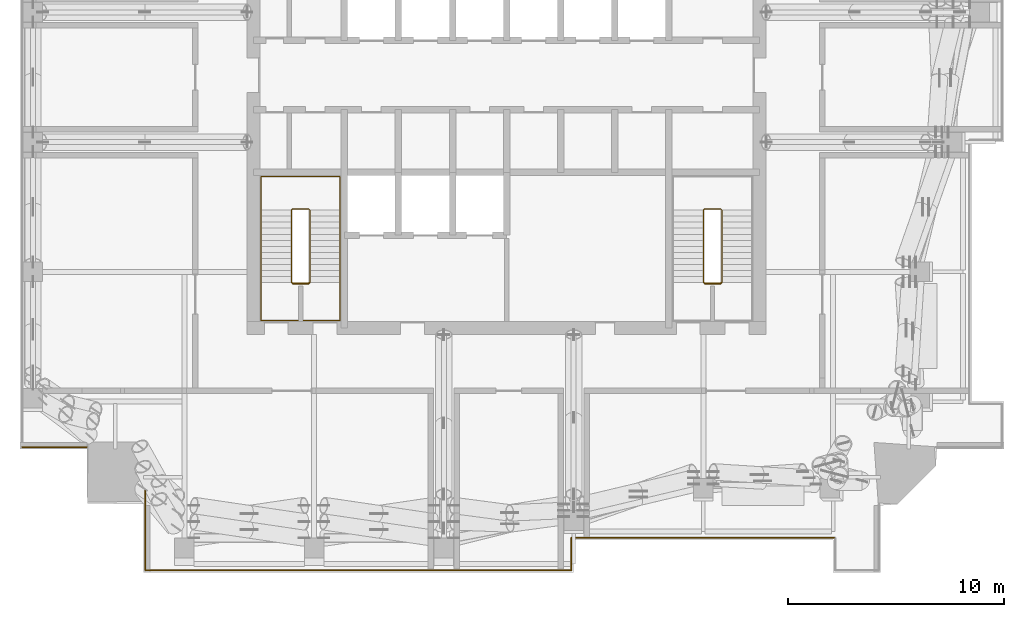
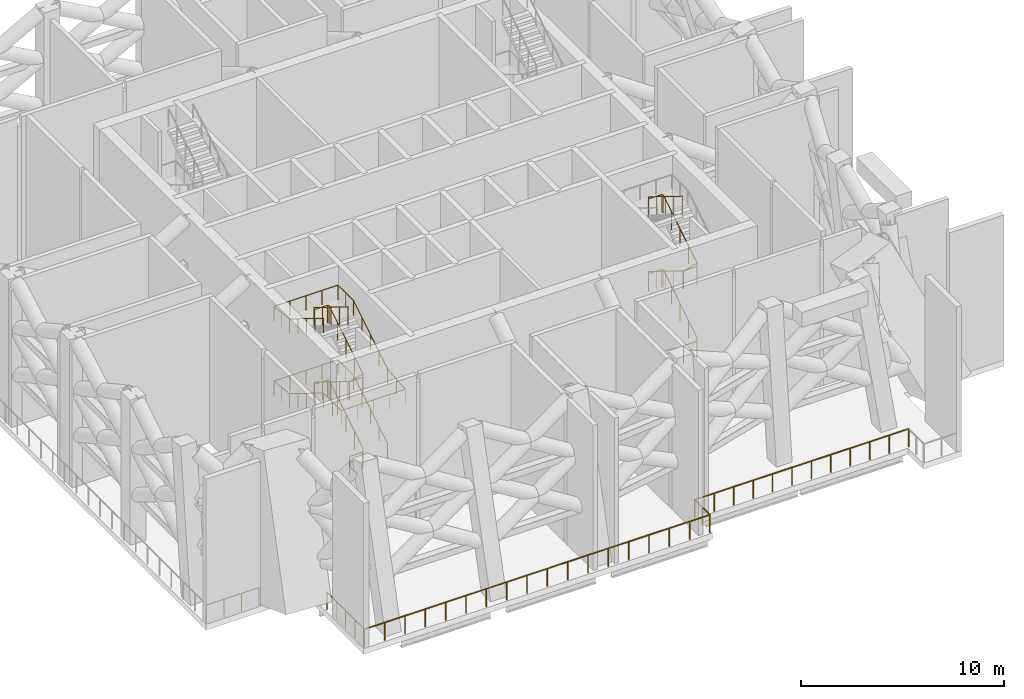
# One storey, part 15 of 18: 8 railings.
"""IFC4 building model written with IfcOpenShell, lengths in metres."""

from ifc_helpers import new_model, si_unit, direction, frame, origin, origin_2d, place, context, subcontext, project, spatial, circle, extrude, material, type_object, element, save


model = new_model("IFC4")

# Units and contexts
model_context = context("Model", 3, precision=1e-05, world=origin(), true_north=direction((0.0, 1.0)))
body_context = subcontext(model_context, "Body", "Model", "MODEL_VIEW")
ifc_project = project(units=[si_unit("LENGTHUNIT", "METRE"), si_unit("AREAUNIT", "SQUARE_METRE"), si_unit("VOLUMEUNIT", "CUBIC_METRE"), si_unit("PLANEANGLEUNIT", "RADIAN"), si_unit("MASSUNIT", "GRAM", prefix="KILO")], contexts=[model_context])

# Site, building, storey
site_placement = place(None, origin())
site = spatial("IfcSite", under=ifc_project, at=site_placement, CompositionType="ELEMENT")
building_placement = place(site_placement, origin())
building = spatial("IfcBuilding", under=site, at=building_placement, Name="Amberfall Residences", CompositionType="ELEMENT")
storey_placement = place(building_placement, frame((0.0, 0.0, 229.89990234375)))
storey = spatial("IfcBuildingStorey", under=building, at=storey_placement, Name="L62", CompositionType="ELEMENT", Elevation=229.89990234375)

# Railings
ifc_material_1 = material(Name="Bronze anodised aluminium and laminated glass", Category="aluminium")
railing_type_1 = type_object("IfcRailingType", Name="Refuge edge guard 1100", PredefinedType="GUARDRAIL", material=ifc_material_1)
railing_1_placement = place(storey_placement, frame((89.699951171875, 24.10009765625, 0.0)))
element("IfcRailing", 1, at=railing_1_placement, inside=storey, type_object=railing_type_1, Name="Refuge edge guard L62 3", PredefinedType="GUARDRAIL", context=body_context, shape_type="SweptSolid", body=[
    extrude(circle(Radius=0.02392578125, at=origin_2d()), frame((0.0, 0.0, 1.076171875), z_axis=(-1.0, 0.0, 0.0), x_axis=(0.0, -1.0, 0.0)), (0.0, 0.0, 1.0), 12.199951171875),
    extrude(circle(Radius=0.02099609375, at=origin_2d()), origin(), (0.0, 0.0, 1.0), 1.052001953125),
    extrude(circle(Radius=0.02099609375, at=origin_2d()), frame((-1.109130859375, 0.0, 0.0)), (0.0, 0.0, 1.0), 1.052001953125),
    extrude(circle(Radius=0.02099609375, at=origin_2d()), frame((-2.21826171875, 0.0, 0.0)), (0.0, 0.0, 1.0), 1.052001953125),
    extrude(circle(Radius=0.02099609375, at=origin_2d()), frame((-3.3271484375, 0.0, 0.0)), (0.0, 0.0, 1.0), 1.052001953125),
    extrude(circle(Radius=0.02099609375, at=origin_2d()), frame((-4.436279296875, 0.0, 0.0)), (0.0, 0.0, 1.0), 1.052001953125),
    extrude(circle(Radius=0.02099609375, at=origin_2d()), frame((-5.54541015625, 0.0, 0.0)), (0.0, 0.0, 1.0), 1.052001953125),
    extrude(circle(Radius=0.02099609375, at=origin_2d()), frame((-6.654541015625, 0.0, 0.0)), (0.0, 0.0, 1.0), 1.052001953125),
    extrude(circle(Radius=0.02099609375, at=origin_2d()), frame((-7.763671875, 0.0, 0.0)), (0.0, 0.0, 1.0), 1.052001953125),
    extrude(circle(Radius=0.02099609375, at=origin_2d()), frame((-8.872802734375, 0.0, 0.0)), (0.0, 0.0, 1.0), 1.052001953125),
    extrude(circle(Radius=0.02099609375, at=origin_2d()), frame((-9.981689453125, 0.0, 0.0)), (0.0, 0.0, 1.0), 1.052001953125),
    extrude(circle(Radius=0.02099609375, at=origin_2d()), frame((-11.0908203125, 0.0, 0.0)), (0.0, 0.0, 1.0), 1.052001953125),
    extrude(circle(Radius=0.02099609375, at=origin_2d()), frame((-12.199951171875, 0.0, 0.0)), (0.0, 0.0, 1.0), 1.052001953125),
])
railing_2_placement = place(storey_placement, frame((77.5, 24.10009765625, 0.0)))
element("IfcRailing", 2, at=railing_2_placement, inside=storey, type_object=railing_type_1, Name="Refuge edge guard L62 4", PredefinedType="GUARDRAIL", context=body_context, shape_type="SweptSolid", body=[
    extrude(circle(Radius=0.02392578125, at=origin_2d()), frame((0.0, 0.0, 1.076171875), z_axis=(0.0, -1.0, 0.0), x_axis=(1.0, 0.0, 0.0)), (0.0, 0.0, 1.0), 1.5),
    extrude(circle(Radius=0.02099609375, at=origin_2d()), origin(), (0.0, 0.0, 1.0), 1.052001953125),
    extrude(circle(Radius=0.02099609375, at=origin_2d()), frame((0.0, -0.75, 0.0)), (0.0, 0.0, 1.0), 1.052001953125),
    extrude(circle(Radius=0.02099609375, at=origin_2d()), frame((0.0, -1.5, 0.0)), (0.0, 0.0, 1.0), 1.052001953125),
])
railing_3_placement = place(storey_placement, frame((77.5, 22.60009765625, 0.0)))
element("IfcRailing", 3, at=railing_3_placement, inside=storey, type_object=railing_type_1, Name="Refuge edge guard L62 5", PredefinedType="GUARDRAIL", context=body_context, shape_type="SweptSolid", body=[
    extrude(circle(Radius=0.02392578125, at=origin_2d()), frame((0.0, 0.0, 1.076171875), z_axis=(-1.0, 0.0, 0.0), x_axis=(0.0, -1.0, 0.0)), (0.0, 0.0, 1.0), 19.699951171875),
    extrude(circle(Radius=0.02099609375, at=origin_2d()), origin(), (0.0, 0.0, 1.0), 1.052001953125),
    extrude(circle(Radius=0.02099609375, at=origin_2d()), frame((-1.158935546875, 0.0, 0.0)), (0.0, 0.0, 1.0), 1.052001953125),
    extrude(circle(Radius=0.02099609375, at=origin_2d()), frame((-2.317626953125, 0.0, 0.0)), (0.0, 0.0, 1.0), 1.052001953125),
    extrude(circle(Radius=0.02099609375, at=origin_2d()), frame((-3.4765625, 0.0, 0.0)), (0.0, 0.0, 1.0), 1.052001953125),
    extrude(circle(Radius=0.02099609375, at=origin_2d()), frame((-4.63525390625, 0.0, 0.0)), (0.0, 0.0, 1.0), 1.052001953125),
    extrude(circle(Radius=0.02099609375, at=origin_2d()), frame((-5.794189453125, 0.0, 0.0)), (0.0, 0.0, 1.0), 1.052001953125),
    extrude(circle(Radius=0.02099609375, at=origin_2d()), frame((-6.952880859375, 0.0, 0.0)), (0.0, 0.0, 1.0), 1.052001953125),
    extrude(circle(Radius=0.02099609375, at=origin_2d()), frame((-8.11181640625, 0.0, 0.0)), (0.0, 0.0, 1.0), 1.052001953125),
    extrude(circle(Radius=0.02099609375, at=origin_2d()), frame((-9.2705078125, 0.0, 0.0)), (0.0, 0.0, 1.0), 1.052001953125),
    extrude(circle(Radius=0.02099609375, at=origin_2d()), frame((-10.429443359375, 0.0, 0.0)), (0.0, 0.0, 1.0), 1.052001953125),
    extrude(circle(Radius=0.02099609375, at=origin_2d()), frame((-11.588134765625, 0.0, 0.0)), (0.0, 0.0, 1.0), 1.052001953125),
    extrude(circle(Radius=0.02099609375, at=origin_2d()), frame((-12.7470703125, 0.0, 0.0)), (0.0, 0.0, 1.0), 1.052001953125),
    extrude(circle(Radius=0.02099609375, at=origin_2d()), frame((-13.90576171875, 0.0, 0.0)), (0.0, 0.0, 1.0), 1.052001953125),
    extrude(circle(Radius=0.02099609375, at=origin_2d()), frame((-15.064697265625, 0.0, 0.0)), (0.0, 0.0, 1.0), 1.052001953125),
    extrude(circle(Radius=0.02099609375, at=origin_2d()), frame((-16.223388671875, 0.0, 0.0)), (0.0, 0.0, 1.0), 1.052001953125),
    extrude(circle(Radius=0.02099609375, at=origin_2d()), frame((-17.38232421875, 0.0, 0.0)), (0.0, 0.0, 1.0), 1.052001953125),
    extrude(circle(Radius=0.02099609375, at=origin_2d()), frame((-18.541015625, 0.0, 0.0)), (0.0, 0.0, 1.0), 1.052001953125),
    extrude(circle(Radius=0.02099609375, at=origin_2d()), frame((-19.699951171875, 0.0, 0.0)), (0.0, 0.0, 1.0), 1.052001953125),
])
railing_4_placement = place(storey_placement, frame((57.800048828125, 22.60009765625, 0.0)))
element("IfcRailing", 4, at=railing_4_placement, inside=storey, type_object=railing_type_1, Name="Refuge edge guard L62 6", PredefinedType="GUARDRAIL", context=body_context, shape_type="SweptSolid", body=[
    extrude(circle(Radius=0.02392578125, at=origin_2d()), frame((0.0, 0.0, 1.076171875), z_axis=(0.0, 1.0, 0.0), x_axis=(-1.0, 0.0, 0.0)), (0.0, 0.0, 1.0), 3.698486328125),
    extrude(circle(Radius=0.02099609375, at=origin_2d()), origin(), (0.0, 0.0, 1.0), 1.052001953125),
    extrude(circle(Radius=0.02099609375, at=origin_2d()), frame((0.0, 0.924560546875, 0.0)), (0.0, 0.0, 1.0), 1.052001953125),
    extrude(circle(Radius=0.02099609375, at=origin_2d()), frame((0.0, 1.84912109375, 0.0)), (0.0, 0.0, 1.0), 1.052001953125),
    extrude(circle(Radius=0.02099609375, at=origin_2d()), frame((0.0, 2.77392578125, 0.0)), (0.0, 0.0, 1.0), 1.052001953125),
    extrude(circle(Radius=0.02099609375, at=origin_2d()), frame((0.0, 3.698486328125, 0.0)), (0.0, 0.0, 1.0), 1.052001953125),
])
railing_5_placement = place(storey_placement, frame((55.08740234375, 28.300048828125, 0.0)))
element("IfcRailing", 5, at=railing_5_placement, inside=storey, type_object=railing_type_1, Name="Refuge edge guard L62 7", PredefinedType="GUARDRAIL", context=body_context, shape_type="SweptSolid", body=[
    extrude(circle(Radius=0.02392578125, at=origin_2d()), frame((0.0, 0.0, 1.076171875), z_axis=(-1.0, 0.0, 0.0), x_axis=(0.0, -1.0, 0.0)), (0.0, 0.0, 1.0), 2.9873046875),
    extrude(circle(Radius=0.02099609375, at=origin_2d()), origin(), (0.0, 0.0, 1.0), 1.052001953125),
    extrude(circle(Radius=0.02099609375, at=origin_2d()), frame((-0.995849609375, 0.0, 0.0)), (0.0, 0.0, 1.0), 1.052001953125),
    extrude(circle(Radius=0.02099609375, at=origin_2d()), frame((-1.991455078125, 0.0, 0.0)), (0.0, 0.0, 1.0), 1.052001953125),
    extrude(circle(Radius=0.02099609375, at=origin_2d()), frame((-2.9873046875, 0.0, 0.0)), (0.0, 0.0, 1.0), 1.052001953125),
])
ifc_material_2 = material(Name="Stainless steel 316", Category="steel")
railing_type_2 = type_object("IfcRailingType", Name="Stair guard 1100", PredefinedType="GUARDRAIL", material=ifc_material_2)
railing_6_placement = place(storey_placement, frame((64.60009765625, 35.85009765625, 0.0)))
element("IfcRailing", 6, at=railing_6_placement, inside=storey, type_object=railing_type_2, Name="L62 stair 1 guard", PredefinedType="GUARDRAIL", context=body_context, shape_type="SweptSolid", body=[
    extrude(circle(Radius=0.02392578125, at=origin_2d()), frame((0.0, 0.0, 1.076171875), z_axis=(1.0, 0.0, 0.0), x_axis=(0.0, 1.0, 0.0)), (0.0, 0.0, 1.0), 0.75),
    extrude(circle(Radius=0.02392578125, at=origin_2d()), frame((0.75, 0.0, 1.076171875), z_axis=(0.26651005591, 0.26651005591, 0.926253086471), x_axis=(-0.707106781187, 0.707106781187, 0.0)), (0.0, 0.0, 1.0), 0.186767578125),
    extrude(circle(Radius=0.02392578125, at=origin_2d()), frame((0.7998046875, 0.0498046875, 1.2490234375), z_axis=(0.0, 0.850623216509, 0.525775754039), x_axis=(-1.0, 0.0, 0.0)), (0.0, 0.0, 1.0), 3.9501953125),
    extrude(circle(Radius=0.02392578125, at=origin_2d()), frame((0.7998046875, 3.409912109375, 3.326171875), z_axis=(-0.705375805398, 0.708833529934, 0.0), x_axis=(-0.708833529934, -0.705375805398, 0.0)), (0.0, 0.0, 1.0), 0.070556640625),
    extrude(circle(Radius=0.02392578125, at=origin_2d()), frame((0.75, 3.4599609375, 3.326171875), z_axis=(-1.0, 0.0, 0.0), x_axis=(0.0, -1.0, 0.0)), (0.0, 0.0, 1.0), 0.75),
    extrude(circle(Radius=0.02392578125, at=origin_2d()), frame((0.0, 3.4599609375, 3.326171875), z_axis=(-0.267629722418, -0.267629722418, 0.925607186314), x_axis=(0.707106781187, -0.707106781187, 0.0)), (0.0, 0.0, 1.0), 0.18701171875),
    extrude(circle(Radius=0.02392578125, at=origin_2d()), frame((-0.050048828125, 3.409912109375, 3.4990234375), z_axis=(0.0, -0.850623216509, 0.525775754039), x_axis=(1.0, 0.0, 0.0)), (0.0, 0.0, 1.0), 3.9501953125),
    extrude(circle(Radius=0.02392578125, at=origin_2d()), frame((-0.050048828125, 0.0498046875, 5.576171875), z_axis=(0.998067954185, -0.062131785979, 0.0), x_axis=(0.062131785979, 0.998067954185, 0.0)), (0.0, 0.0, 1.0), 0.801513671875),
    extrude(circle(Radius=0.02392578125, at=origin_2d()), frame((0.75, 0.0, 5.576171875), z_axis=(-1.0, 0.0, 0.0), x_axis=(0.0, -1.0, 0.0)), (0.0, 0.0, 1.0), 0.75),
    extrude(circle(Radius=0.02392578125, at=origin_2d()), frame((0.0, 0.0, 5.576171875), z_axis=(0.975567336186, 0.060749614341, 0.211134689059), x_axis=(-0.062150678478, 0.998066777909, 0.0)), (0.0, 0.0, 1.0), 0.81982421875),
    extrude(circle(Radius=0.02392578125, at=origin_2d()), frame((0.7998046875, 0.0498046875, 5.7490234375), z_axis=(0.0, 0.850623216509, 0.525775754039), x_axis=(-1.0, 0.0, 0.0)), (0.0, 0.0, 1.0), 3.9501953125),
    extrude(circle(Radius=0.02392578125, at=origin_2d()), frame((0.7998046875, 3.409912109375, 7.826171875), z_axis=(-0.705375805398, 0.708833529934, 0.0), x_axis=(-0.708833529934, -0.705375805398, 0.0)), (0.0, 0.0, 1.0), 0.070556640625),
    extrude(circle(Radius=0.02392578125, at=origin_2d()), frame((0.75, 3.4599609375, 7.826171875), z_axis=(-1.0, 0.0, 0.0), x_axis=(0.0, -1.0, 0.0)), (0.0, 0.0, 1.0), 0.75),
    extrude(circle(Radius=0.02392578125, at=origin_2d()), frame((0.0, 3.4599609375, 7.826171875), z_axis=(-0.267629722418, -0.267629722418, 0.925607186314), x_axis=(0.707106781187, -0.707106781187, 0.0)), (0.0, 0.0, 1.0), 0.18701171875),
    extrude(circle(Radius=0.02392578125, at=origin_2d()), frame((-0.050048828125, 3.409912109375, 7.9990234375), z_axis=(0.0, -0.850623216509, 0.525775754039), x_axis=(1.0, 0.0, 0.0)), (0.0, 0.0, 1.0), 3.9501953125),
    extrude(circle(Radius=0.02099609375, at=origin_2d()), origin(), (0.0, 0.0, 1.0), 1.052001953125),
    extrude(circle(Radius=0.02099609375, at=origin_2d()), frame((0.75, 0.0, 0.0)), (0.0, 0.0, 1.0), 1.052001953125),
    extrude(circle(Radius=0.02099609375, at=origin_2d()), frame((0.7998046875, 0.0498046875, 0.173095703125)), (0.0, 0.0, 1.0), 1.052001953125),
    extrude(circle(Radius=0.02099609375, at=origin_2d()), frame((0.7998046875, 0.889892578125, 0.6923828125)), (0.0, 0.0, 1.0), 1.052001953125),
    extrude(circle(Radius=0.02099609375, at=origin_2d()), frame((0.7998046875, 1.72998046875, 1.21142578125)), (0.0, 0.0, 1.0), 1.052001953125),
    extrude(circle(Radius=0.02099609375, at=origin_2d()), frame((0.7998046875, 2.56982421875, 1.730712890625)), (0.0, 0.0, 1.0), 1.052001953125),
    extrude(circle(Radius=0.02099609375, at=origin_2d()), frame((0.7998046875, 3.409912109375, 2.25)), (0.0, 0.0, 1.0), 1.052001953125),
    extrude(circle(Radius=0.02099609375, at=origin_2d()), frame((0.75, 3.4599609375, 2.25)), (0.0, 0.0, 1.0), 1.052001953125),
    extrude(circle(Radius=0.02099609375, at=origin_2d()), frame((0.0, 3.4599609375, 2.25)), (0.0, 0.0, 1.0), 1.052001953125),
    extrude(circle(Radius=0.02099609375, at=origin_2d()), frame((-0.050048828125, 3.409912109375, 2.423095703125)), (0.0, 0.0, 1.0), 1.052001953125),
    extrude(circle(Radius=0.02099609375, at=origin_2d()), frame((-0.050048828125, 2.56982421875, 2.9423828125)), (0.0, 0.0, 1.0), 1.052001953125),
    extrude(circle(Radius=0.02099609375, at=origin_2d()), frame((-0.050048828125, 1.72998046875, 3.46142578125)), (0.0, 0.0, 1.0), 1.052001953125),
    extrude(circle(Radius=0.02099609375, at=origin_2d()), frame((-0.050048828125, 0.889892578125, 3.980712890625)), (0.0, 0.0, 1.0), 1.052001953125),
    extrude(circle(Radius=0.02099609375, at=origin_2d()), frame((-0.050048828125, 0.0498046875, 4.5)), (0.0, 0.0, 1.0), 1.052001953125),
    extrude(circle(Radius=0.02099609375, at=origin_2d()), frame((0.75, 0.0, 4.5)), (0.0, 0.0, 1.0), 1.052001953125),
    extrude(circle(Radius=0.02099609375, at=origin_2d()), frame((0.0, 0.0, 4.5)), (0.0, 0.0, 1.0), 1.052001953125),
    extrude(circle(Radius=0.02099609375, at=origin_2d()), frame((0.7998046875, 0.0498046875, 4.673095703125)), (0.0, 0.0, 1.0), 1.052001953125),
    extrude(circle(Radius=0.02099609375, at=origin_2d()), frame((0.7998046875, 0.889892578125, 5.1923828125)), (0.0, 0.0, 1.0), 1.052001953125),
    extrude(circle(Radius=0.02099609375, at=origin_2d()), frame((0.7998046875, 1.72998046875, 5.71142578125)), (0.0, 0.0, 1.0), 1.052001953125),
    extrude(circle(Radius=0.02099609375, at=origin_2d()), frame((0.7998046875, 2.56982421875, 6.230712890625)), (0.0, 0.0, 1.0), 1.052001953125),
    extrude(circle(Radius=0.02099609375, at=origin_2d()), frame((0.7998046875, 3.409912109375, 6.75)), (0.0, 0.0, 1.0), 1.052001953125),
    extrude(circle(Radius=0.02099609375, at=origin_2d()), frame((0.75, 3.4599609375, 6.75)), (0.0, 0.0, 1.0), 1.052001953125),
    extrude(circle(Radius=0.02099609375, at=origin_2d()), frame((0.0, 3.4599609375, 6.75)), (0.0, 0.0, 1.0), 1.052001953125),
    extrude(circle(Radius=0.02099609375, at=origin_2d()), frame((-0.050048828125, 3.409912109375, 6.923095703125)), (0.0, 0.0, 1.0), 1.052001953125),
    extrude(circle(Radius=0.02099609375, at=origin_2d()), frame((-0.050048828125, 2.56982421875, 7.4423828125)), (0.0, 0.0, 1.0), 1.052001953125),
    extrude(circle(Radius=0.02099609375, at=origin_2d()), frame((-0.050048828125, 1.72998046875, 7.96142578125)), (0.0, 0.0, 1.0), 1.052001953125),
    extrude(circle(Radius=0.02099609375, at=origin_2d()), frame((-0.050048828125, 0.889892578125, 8.480712890625)), (0.0, 0.0, 1.0), 1.052001953125),
    extrude(circle(Radius=0.02099609375, at=origin_2d()), frame((-0.050048828125, 0.0498046875, 9.0)), (0.0, 0.0, 1.0), 1.052001953125),
])
railing_7_placement = place(storey_placement, frame((83.64990234375, 35.85009765625, 0.0)))
element("IfcRailing", 7, at=railing_7_placement, inside=storey, type_object=railing_type_2, Name="L62 stair 2 guard", PredefinedType="GUARDRAIL", context=body_context, shape_type="SweptSolid", body=[
    extrude(circle(Radius=0.02392578125, at=origin_2d()), frame((0.0, 0.0, 1.076171875), z_axis=(1.0, 0.0, 0.0), x_axis=(0.0, 1.0, 0.0)), (0.0, 0.0, 1.0), 0.75),
    extrude(circle(Radius=0.02392578125, at=origin_2d()), frame((0.75, 0.0, 1.076171875), z_axis=(0.267723051232, 0.266417085129, 0.925929967433), x_axis=(-0.705375805398, 0.708833529934, 0.0)), (0.0, 0.0, 1.0), 0.18701171875),
    extrude(circle(Radius=0.02392578125, at=origin_2d()), frame((0.800048828125, 0.0498046875, 1.2490234375), z_axis=(0.0, 0.850623216509, 0.525775754039), x_axis=(-1.0, 0.0, 0.0)), (0.0, 0.0, 1.0), 3.9501953125),
    extrude(circle(Radius=0.02392578125, at=origin_2d()), frame((0.800048828125, 3.409912109375, 3.326171875), z_axis=(-0.707106781187, 0.707106781187, 0.0), x_axis=(-0.707106781187, -0.707106781187, 0.0)), (0.0, 0.0, 1.0), 0.07080078125),
    extrude(circle(Radius=0.02392578125, at=origin_2d()), frame((0.75, 3.4599609375, 3.326171875), z_axis=(-1.0, 0.0, 0.0), x_axis=(0.0, -1.0, 0.0)), (0.0, 0.0, 1.0), 0.75),
    extrude(circle(Radius=0.02392578125, at=origin_2d()), frame((0.0, 3.4599609375, 3.326171875), z_axis=(-0.266417085129, -0.267723051232, 0.925929967433), x_axis=(0.708833529934, -0.705375805398, 0.0)), (0.0, 0.0, 1.0), 0.18701171875),
    extrude(circle(Radius=0.02392578125, at=origin_2d()), frame((-0.0498046875, 3.409912109375, 3.4990234375), z_axis=(0.0, -0.850623216509, 0.525775754039), x_axis=(1.0, 0.0, 0.0)), (0.0, 0.0, 1.0), 3.9501953125),
    extrude(circle(Radius=0.02392578125, at=origin_2d()), frame((-0.0498046875, 0.0498046875, 5.576171875), z_axis=(0.998066777909, -0.062150678478, 0.0), x_axis=(0.062150678478, 0.998066777909, 0.0)), (0.0, 0.0, 1.0), 0.80126953125),
    extrude(circle(Radius=0.02392578125, at=origin_2d()), frame((0.75, 0.0, 5.576171875), z_axis=(-1.0, 0.0, 0.0), x_axis=(0.0, -1.0, 0.0)), (0.0, 0.0, 1.0), 0.75),
    extrude(circle(Radius=0.02392578125, at=origin_2d()), frame((0.0, 0.0, 5.576171875), z_axis=(0.975581703871, 0.06073197058, 0.211073368338), x_axis=(-0.062131785979, 0.998067954185, 0.0)), (0.0, 0.0, 1.0), 0.820068359375),
    extrude(circle(Radius=0.02392578125, at=origin_2d()), frame((0.800048828125, 0.0498046875, 5.7490234375), z_axis=(0.0, 0.850623216509, 0.525775754039), x_axis=(-1.0, 0.0, 0.0)), (0.0, 0.0, 1.0), 3.9501953125),
    extrude(circle(Radius=0.02392578125, at=origin_2d()), frame((0.800048828125, 3.409912109375, 7.826171875), z_axis=(-0.707106781187, 0.707106781187, 0.0), x_axis=(-0.707106781187, -0.707106781187, 0.0)), (0.0, 0.0, 1.0), 0.07080078125),
    extrude(circle(Radius=0.02392578125, at=origin_2d()), frame((0.75, 3.4599609375, 7.826171875), z_axis=(-1.0, 0.0, 0.0), x_axis=(0.0, -1.0, 0.0)), (0.0, 0.0, 1.0), 0.75),
    extrude(circle(Radius=0.02392578125, at=origin_2d()), frame((0.0, 3.4599609375, 7.826171875), z_axis=(-0.266417085129, -0.267723051232, 0.925929967433), x_axis=(0.708833529934, -0.705375805398, 0.0)), (0.0, 0.0, 1.0), 0.18701171875),
    extrude(circle(Radius=0.02392578125, at=origin_2d()), frame((-0.0498046875, 3.409912109375, 7.9990234375), z_axis=(0.0, -0.850623216509, 0.525775754039), x_axis=(1.0, 0.0, 0.0)), (0.0, 0.0, 1.0), 3.9501953125),
    extrude(circle(Radius=0.02099609375, at=origin_2d()), origin(), (0.0, 0.0, 1.0), 1.052001953125),
    extrude(circle(Radius=0.02099609375, at=origin_2d()), frame((0.75, 0.0, 0.0)), (0.0, 0.0, 1.0), 1.052001953125),
    extrude(circle(Radius=0.02099609375, at=origin_2d()), frame((0.800048828125, 0.0498046875, 0.173095703125)), (0.0, 0.0, 1.0), 1.052001953125),
    extrude(circle(Radius=0.02099609375, at=origin_2d()), frame((0.800048828125, 0.889892578125, 0.6923828125)), (0.0, 0.0, 1.0), 1.052001953125),
    extrude(circle(Radius=0.02099609375, at=origin_2d()), frame((0.800048828125, 1.72998046875, 1.21142578125)), (0.0, 0.0, 1.0), 1.052001953125),
    extrude(circle(Radius=0.02099609375, at=origin_2d()), frame((0.800048828125, 2.56982421875, 1.730712890625)), (0.0, 0.0, 1.0), 1.052001953125),
    extrude(circle(Radius=0.02099609375, at=origin_2d()), frame((0.800048828125, 3.409912109375, 2.25)), (0.0, 0.0, 1.0), 1.052001953125),
    extrude(circle(Radius=0.02099609375, at=origin_2d()), frame((0.75, 3.4599609375, 2.25)), (0.0, 0.0, 1.0), 1.052001953125),
    extrude(circle(Radius=0.02099609375, at=origin_2d()), frame((0.0, 3.4599609375, 2.25)), (0.0, 0.0, 1.0), 1.052001953125),
    extrude(circle(Radius=0.02099609375, at=origin_2d()), frame((-0.0498046875, 3.409912109375, 2.423095703125)), (0.0, 0.0, 1.0), 1.052001953125),
    extrude(circle(Radius=0.02099609375, at=origin_2d()), frame((-0.0498046875, 2.56982421875, 2.9423828125)), (0.0, 0.0, 1.0), 1.052001953125),
    extrude(circle(Radius=0.02099609375, at=origin_2d()), frame((-0.0498046875, 1.72998046875, 3.46142578125)), (0.0, 0.0, 1.0), 1.052001953125),
    extrude(circle(Radius=0.02099609375, at=origin_2d()), frame((-0.0498046875, 0.889892578125, 3.980712890625)), (0.0, 0.0, 1.0), 1.052001953125),
    extrude(circle(Radius=0.02099609375, at=origin_2d()), frame((-0.0498046875, 0.0498046875, 4.5)), (0.0, 0.0, 1.0), 1.052001953125),
    extrude(circle(Radius=0.02099609375, at=origin_2d()), frame((0.75, 0.0, 4.5)), (0.0, 0.0, 1.0), 1.052001953125),
    extrude(circle(Radius=0.02099609375, at=origin_2d()), frame((0.0, 0.0, 4.5)), (0.0, 0.0, 1.0), 1.052001953125),
    extrude(circle(Radius=0.02099609375, at=origin_2d()), frame((0.800048828125, 0.0498046875, 4.673095703125)), (0.0, 0.0, 1.0), 1.052001953125),
    extrude(circle(Radius=0.02099609375, at=origin_2d()), frame((0.800048828125, 0.889892578125, 5.1923828125)), (0.0, 0.0, 1.0), 1.052001953125),
    extrude(circle(Radius=0.02099609375, at=origin_2d()), frame((0.800048828125, 1.72998046875, 5.71142578125)), (0.0, 0.0, 1.0), 1.052001953125),
    extrude(circle(Radius=0.02099609375, at=origin_2d()), frame((0.800048828125, 2.56982421875, 6.230712890625)), (0.0, 0.0, 1.0), 1.052001953125),
    extrude(circle(Radius=0.02099609375, at=origin_2d()), frame((0.800048828125, 3.409912109375, 6.75)), (0.0, 0.0, 1.0), 1.052001953125),
    extrude(circle(Radius=0.02099609375, at=origin_2d()), frame((0.75, 3.4599609375, 6.75)), (0.0, 0.0, 1.0), 1.052001953125),
    extrude(circle(Radius=0.02099609375, at=origin_2d()), frame((0.0, 3.4599609375, 6.75)), (0.0, 0.0, 1.0), 1.052001953125),
    extrude(circle(Radius=0.02099609375, at=origin_2d()), frame((-0.0498046875, 3.409912109375, 6.923095703125)), (0.0, 0.0, 1.0), 1.052001953125),
    extrude(circle(Radius=0.02099609375, at=origin_2d()), frame((-0.0498046875, 2.56982421875, 7.4423828125)), (0.0, 0.0, 1.0), 1.052001953125),
    extrude(circle(Radius=0.02099609375, at=origin_2d()), frame((-0.0498046875, 1.72998046875, 7.96142578125)), (0.0, 0.0, 1.0), 1.052001953125),
    extrude(circle(Radius=0.02099609375, at=origin_2d()), frame((-0.0498046875, 0.889892578125, 8.480712890625)), (0.0, 0.0, 1.0), 1.052001953125),
    extrude(circle(Radius=0.02099609375, at=origin_2d()), frame((-0.0498046875, 0.0498046875, 9.0)), (0.0, 0.0, 1.0), 1.052001953125),
])
railing_type_3 = type_object("IfcRailingType", Name="Stair handrail 900", PredefinedType="HANDRAIL", material=ifc_material_2)
railing_8_placement = place(storey_placement, frame((66.800048828125, 35.89990234375, 0.173095703125)))
element("IfcRailing", 8, at=railing_8_placement, inside=storey, type_object=railing_type_3, Name="L62 stair 1 handrail", PredefinedType="HANDRAIL", context=body_context, shape_type="SweptSolid", body=[
    extrude(circle(Radius=0.02392578125, at=origin_2d()), frame((0.0, 0.0, 0.8759765625), z_axis=(0.0, 0.850623216509, 0.525775754039), x_axis=(-1.0, 0.0, 0.0)), (0.0, 0.0, 1.0), 3.9501953125),
    extrude(circle(Radius=0.02392578125, at=origin_2d()), frame((0.0, 3.360107421875, 2.95263671875), z_axis=(0.0, 1.0, 0.0), x_axis=(-1.0, 0.0, 0.0)), (0.0, 0.0, 1.0), 1.5400390625),
    extrude(circle(Radius=0.02392578125, at=origin_2d()), frame((0.0, 4.900146484375, 2.95263671875), z_axis=(-1.0, 0.0, 0.0), x_axis=(0.0, -1.0, 0.0)), (0.0, 0.0, 1.0), 3.650146484375),
    extrude(circle(Radius=0.02392578125, at=origin_2d()), frame((-3.650146484375, 4.900146484375, 2.95263671875), z_axis=(0.0, -0.993742686923, 0.111693653302), x_axis=(1.0, 0.0, 0.0)), (0.0, 0.0, 1.0), 1.5498046875),
    extrude(circle(Radius=0.02392578125, at=origin_2d()), frame((-3.650146484375, 3.360107421875, 3.1259765625), z_axis=(0.0, -0.850623216509, 0.525775754039), x_axis=(1.0, 0.0, 0.0)), (0.0, 0.0, 1.0), 3.9501953125),
    extrude(circle(Radius=0.02392578125, at=origin_2d()), frame((-3.650146484375, 0.0, 5.20263671875), z_axis=(0.0, -1.0, 0.0), x_axis=(1.0, 0.0, 0.0)), (0.0, 0.0, 1.0), 1.75),
    extrude(circle(Radius=0.02392578125, at=origin_2d()), frame((-3.650146484375, -1.75, 5.20263671875), z_axis=(1.0, 0.0, 0.0), x_axis=(0.0, 1.0, 0.0)), (0.0, 0.0, 1.0), 3.650146484375),
    extrude(circle(Radius=0.02392578125, at=origin_2d()), frame((0.0, -1.75, 5.20263671875), z_axis=(0.0, 0.995143828942, 0.098431497589), x_axis=(-1.0, 0.0, 0.0)), (0.0, 0.0, 1.0), 1.758544921875),
    extrude(circle(Radius=0.02392578125, at=origin_2d()), frame((0.0, 0.0, 5.3759765625), z_axis=(0.0, 0.850623216509, 0.525775754039), x_axis=(-1.0, 0.0, 0.0)), (0.0, 0.0, 1.0), 3.9501953125),
    extrude(circle(Radius=0.02392578125, at=origin_2d()), frame((0.0, 3.360107421875, 7.45263671875), z_axis=(0.0, 1.0, 0.0), x_axis=(-1.0, 0.0, 0.0)), (0.0, 0.0, 1.0), 1.5400390625),
    extrude(circle(Radius=0.02392578125, at=origin_2d()), frame((0.0, 4.900146484375, 7.45263671875), z_axis=(-1.0, 0.0, 0.0), x_axis=(0.0, -1.0, 0.0)), (0.0, 0.0, 1.0), 3.650146484375),
    extrude(circle(Radius=0.02392578125, at=origin_2d()), frame((-3.650146484375, 4.900146484375, 7.45263671875), z_axis=(0.0, -0.993742686923, 0.111693653302), x_axis=(1.0, 0.0, 0.0)), (0.0, 0.0, 1.0), 1.5498046875),
    extrude(circle(Radius=0.02392578125, at=origin_2d()), frame((-3.650146484375, 3.360107421875, 7.6259765625), z_axis=(0.0, -0.850623216509, 0.525775754039), x_axis=(1.0, 0.0, 0.0)), (0.0, 0.0, 1.0), 3.9501953125),
    extrude(circle(Radius=0.02099609375, at=origin_2d()), origin(), (0.0, 0.0, 1.0), 0.851806640625),
    extrude(circle(Radius=0.02099609375, at=origin_2d()), frame((0.0, 0.840087890625, 0.519287109375)), (0.0, 0.0, 1.0), 0.851806640625),
    extrude(circle(Radius=0.02099609375, at=origin_2d()), frame((0.0, 1.68017578125, 1.03857421875)), (0.0, 0.0, 1.0), 0.851806640625),
    extrude(circle(Radius=0.02099609375, at=origin_2d()), frame((0.0, 2.52001953125, 1.5576171875)), (0.0, 0.0, 1.0), 0.851806640625),
    extrude(circle(Radius=0.02099609375, at=origin_2d()), frame((0.0, 3.360107421875, 2.076904296875)), (0.0, 0.0, 1.0), 0.851806640625),
    extrude(circle(Radius=0.02099609375, at=origin_2d()), frame((0.0, 4.130126953125, 2.076904296875)), (0.0, 0.0, 1.0), 0.851806640625),
    extrude(circle(Radius=0.02099609375, at=origin_2d()), frame((0.0, 4.900146484375, 2.076904296875)), (0.0, 0.0, 1.0), 0.851806640625),
    extrude(circle(Radius=0.02099609375, at=origin_2d()), frame((-0.91259765625, 4.900146484375, 2.076904296875)), (0.0, 0.0, 1.0), 0.851806640625),
    extrude(circle(Radius=0.02099609375, at=origin_2d()), frame((-1.8251953125, 4.900146484375, 2.076904296875)), (0.0, 0.0, 1.0), 0.851806640625),
    extrude(circle(Radius=0.02099609375, at=origin_2d()), frame((-2.737548828125, 4.900146484375, 2.076904296875)), (0.0, 0.0, 1.0), 0.851806640625),
    extrude(circle(Radius=0.02099609375, at=origin_2d()), frame((-3.650146484375, 4.900146484375, 2.076904296875)), (0.0, 0.0, 1.0), 0.851806640625),
    extrude(circle(Radius=0.02099609375, at=origin_2d()), frame((-3.650146484375, 4.130126953125, 2.16357421875)), (0.0, 0.0, 1.0), 0.851806640625),
    extrude(circle(Radius=0.02099609375, at=origin_2d()), frame((-3.650146484375, 3.360107421875, 2.25)), (0.0, 0.0, 1.0), 0.851806640625),
    extrude(circle(Radius=0.02099609375, at=origin_2d()), frame((-3.650146484375, 2.52001953125, 2.769287109375)), (0.0, 0.0, 1.0), 0.851806640625),
    extrude(circle(Radius=0.02099609375, at=origin_2d()), frame((-3.650146484375, 1.68017578125, 3.28857421875)), (0.0, 0.0, 1.0), 0.851806640625),
    extrude(circle(Radius=0.02099609375, at=origin_2d()), frame((-3.650146484375, 0.840087890625, 3.8076171875)), (0.0, 0.0, 1.0), 0.851806640625),
    extrude(circle(Radius=0.02099609375, at=origin_2d()), frame((-3.650146484375, 0.0, 4.326904296875)), (0.0, 0.0, 1.0), 0.851806640625),
    extrude(circle(Radius=0.02099609375, at=origin_2d()), frame((-3.650146484375, -0.875, 4.326904296875)), (0.0, 0.0, 1.0), 0.851806640625),
    extrude(circle(Radius=0.02099609375, at=origin_2d()), frame((-3.650146484375, -1.75, 4.326904296875)), (0.0, 0.0, 1.0), 0.851806640625),
    extrude(circle(Radius=0.02099609375, at=origin_2d()), frame((-2.737548828125, -1.75, 4.326904296875)), (0.0, 0.0, 1.0), 0.851806640625),
    extrude(circle(Radius=0.02099609375, at=origin_2d()), frame((-1.8251953125, -1.75, 4.326904296875)), (0.0, 0.0, 1.0), 0.851806640625),
    extrude(circle(Radius=0.02099609375, at=origin_2d()), frame((-0.91259765625, -1.75, 4.326904296875)), (0.0, 0.0, 1.0), 0.851806640625),
    extrude(circle(Radius=0.02099609375, at=origin_2d()), frame((0.0, -1.75, 4.326904296875)), (0.0, 0.0, 1.0), 0.851806640625),
    extrude(circle(Radius=0.02099609375, at=origin_2d()), frame((0.0, -0.875, 4.41357421875)), (0.0, 0.0, 1.0), 0.851806640625),
    extrude(circle(Radius=0.02099609375, at=origin_2d()), frame((0.0, 0.0, 4.5)), (0.0, 0.0, 1.0), 0.851806640625),
    extrude(circle(Radius=0.02099609375, at=origin_2d()), frame((0.0, 0.840087890625, 5.019287109375)), (0.0, 0.0, 1.0), 0.851806640625),
    extrude(circle(Radius=0.02099609375, at=origin_2d()), frame((0.0, 1.68017578125, 5.53857421875)), (0.0, 0.0, 1.0), 0.851806640625),
    extrude(circle(Radius=0.02099609375, at=origin_2d()), frame((0.0, 2.52001953125, 6.0576171875)), (0.0, 0.0, 1.0), 0.851806640625),
    extrude(circle(Radius=0.02099609375, at=origin_2d()), frame((0.0, 3.360107421875, 6.576904296875)), (0.0, 0.0, 1.0), 0.851806640625),
    extrude(circle(Radius=0.02099609375, at=origin_2d()), frame((0.0, 4.130126953125, 6.576904296875)), (0.0, 0.0, 1.0), 0.851806640625),
    extrude(circle(Radius=0.02099609375, at=origin_2d()), frame((0.0, 4.900146484375, 6.576904296875)), (0.0, 0.0, 1.0), 0.851806640625),
    extrude(circle(Radius=0.02099609375, at=origin_2d()), frame((-0.91259765625, 4.900146484375, 6.576904296875)), (0.0, 0.0, 1.0), 0.851806640625),
    extrude(circle(Radius=0.02099609375, at=origin_2d()), frame((-1.8251953125, 4.900146484375, 6.576904296875)), (0.0, 0.0, 1.0), 0.851806640625),
    extrude(circle(Radius=0.02099609375, at=origin_2d()), frame((-2.737548828125, 4.900146484375, 6.576904296875)), (0.0, 0.0, 1.0), 0.851806640625),
    extrude(circle(Radius=0.02099609375, at=origin_2d()), frame((-3.650146484375, 4.900146484375, 6.576904296875)), (0.0, 0.0, 1.0), 0.851806640625),
    extrude(circle(Radius=0.02099609375, at=origin_2d()), frame((-3.650146484375, 4.130126953125, 6.66357421875)), (0.0, 0.0, 1.0), 0.851806640625),
    extrude(circle(Radius=0.02099609375, at=origin_2d()), frame((-3.650146484375, 3.360107421875, 6.75)), (0.0, 0.0, 1.0), 0.851806640625),
    extrude(circle(Radius=0.02099609375, at=origin_2d()), frame((-3.650146484375, 2.52001953125, 7.269287109375)), (0.0, 0.0, 1.0), 0.851806640625),
    extrude(circle(Radius=0.02099609375, at=origin_2d()), frame((-3.650146484375, 1.68017578125, 7.78857421875)), (0.0, 0.0, 1.0), 0.851806640625),
    extrude(circle(Radius=0.02099609375, at=origin_2d()), frame((-3.650146484375, 0.840087890625, 8.3076171875)), (0.0, 0.0, 1.0), 0.851806640625),
    extrude(circle(Radius=0.02099609375, at=origin_2d()), frame((-3.650146484375, 0.0, 8.826904296875)), (0.0, 0.0, 1.0), 0.851806640625),
])

save(model, "model.ifc")
